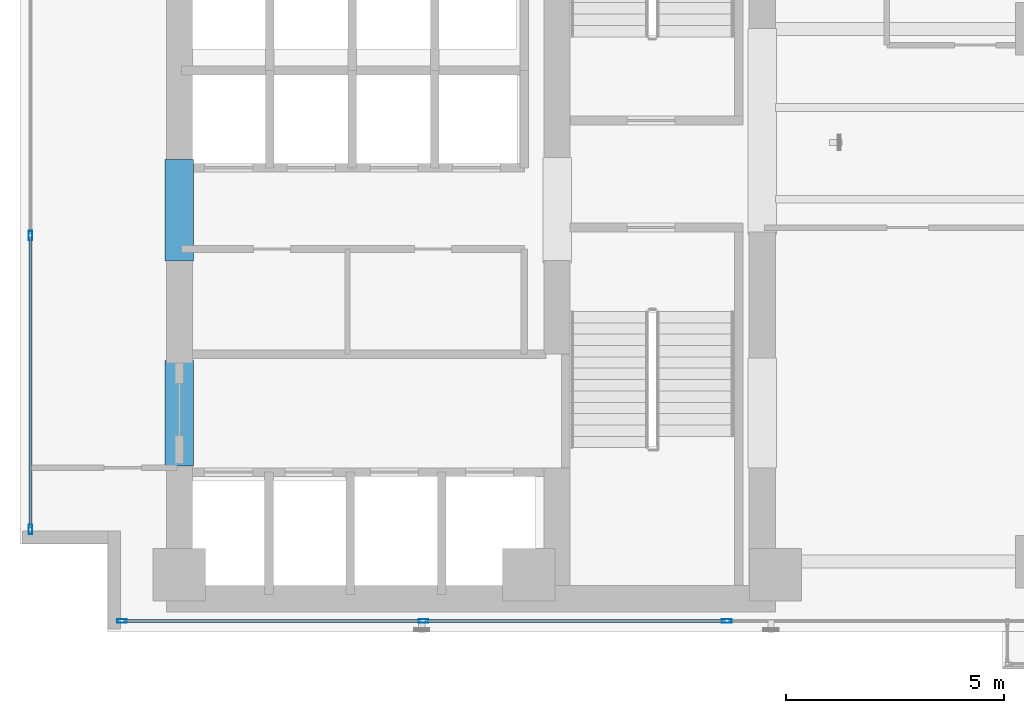
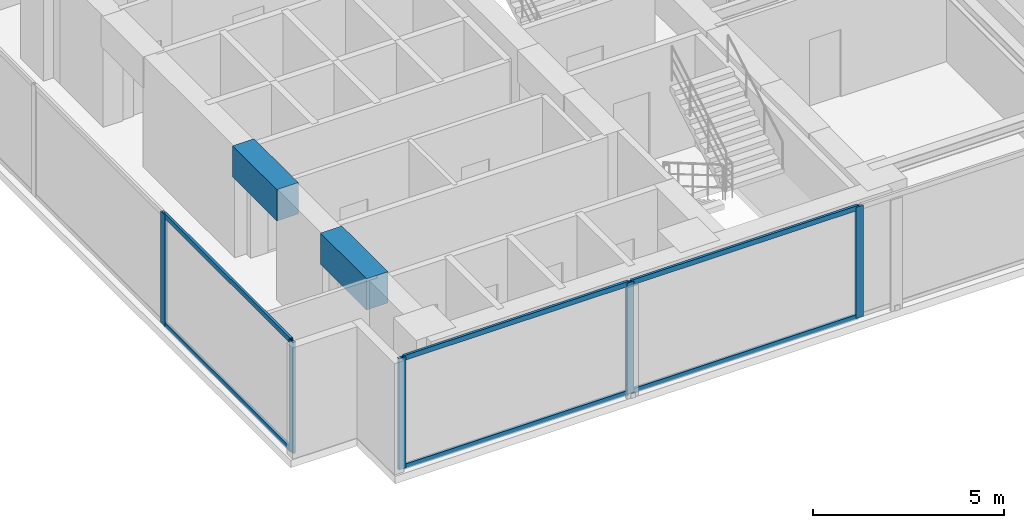
# One storey, part 2 of 24: 11 members, 2 beams, 2 elements without a shape of their own.
"""IFC4 building model written with IfcOpenShell, lengths in metres."""

from ifc_helpers import new_model, si_unit, direction, frame, origin, origin_with_axes, origin_2d, place, context, subcontext, project, spatial, rectangle, hollow_rectangle, extrude, source, transform, mapped, material, layer, layer_set, material_profile, profile_set, type_object, element, aggregate, save


model = new_model("IFC4")

# Units and contexts
model_context = context("Model", 3, precision=1e-05, world=origin(), true_north=direction((0.0, 1.0)))
body_context = subcontext(model_context, "Body", "Model", "MODEL_VIEW")
ifc_project = project(units=[si_unit("LENGTHUNIT", "METRE"), si_unit("AREAUNIT", "SQUARE_METRE"), si_unit("VOLUMEUNIT", "CUBIC_METRE"), si_unit("PLANEANGLEUNIT", "RADIAN"), si_unit("MASSUNIT", "GRAM", prefix="KILO")], contexts=[model_context])

# Site, building, storey
site_placement = place(None, origin())
site = spatial("IfcSite", under=ifc_project, at=site_placement, CompositionType="ELEMENT")
building_placement = place(site_placement, origin())
building = spatial("IfcBuilding", under=site, at=building_placement, Name="Kolvaren Waterfront Exchange", CompositionType="ELEMENT")
storey_placement = place(building_placement, frame((0.0, 0.0, 184.199951171875)))
storey = spatial("IfcBuildingStorey", under=building, at=storey_placement, Name="L47", CompositionType="ELEMENT", Elevation=184.199951171875)

# Beams
ifc_material_1 = material(Name="Concrete C60/75", Category="concrete")
ifc_material_profile_1 = material_profile(ifc_material_1, rectangle(XDim=0.64990234375, YDim=1.0, at=origin_2d()), Name="RC-CB-1000x650")
ifc_profile_set_1 = profile_set([ifc_material_profile_1], Name="Concrete C60/75")
beam_type = type_object("IfcBeamType", Name="STR-CB-1000", PredefinedType="SPANDREL", material=ifc_profile_set_1)
beam_1_placement = place(storey_placement, frame((7.449951171875, 7.389892578125, 3.06005859375), z_axis=(0.0, 1.0, 0.0), x_axis=(-1.0, 0.0, 0.0)))
element("IfcBeam", 1, at=beam_1_placement, inside=storey, type_object=beam_type, Name="L47 core coupling beam 3", PredefinedType="SPANDREL", context=body_context, shape_type="SweptSolid", body=[
    extrude(rectangle(XDim=0.64990234375, YDim=1.0, at=origin_2d()), origin(), (0.0, 0.0, 1.0), 2.420166015625),
])
beam_2_placement = place(storey_placement, frame((7.449951171875, 12.090087890625, 3.06005859375), z_axis=(0.0, 1.0, 0.0), x_axis=(-1.0, 0.0, 0.0)))
element("IfcBeam", 2, at=beam_2_placement, inside=storey, type_object=beam_type, Name="L47 core coupling beam 4", PredefinedType="SPANDREL", context=body_context, shape_type="SweptSolid", body=[
    extrude(rectangle(XDim=0.64990234375, YDim=1.0, at=origin_2d()), origin(), (0.0, 0.0, 1.0), 2.31982421875),
])

# Curtain wall, members
ifc_material_2 = material(Name="Anodised bronze aluminium 6063-T6", Category="aluminium")
ifc_layer_1 = layer(ifc_material_2, 0.219970703125, Name="Anodised bronze aluminium 6063-T6")
ifc_layer_set_1 = layer_set([ifc_layer_1], Name="Anodised bronze aluminium 6063-T6")
curtain_wall_type_1 = type_object("IfcCurtainWallType", Name="ARC-CW-SYS1", PredefinedType="USERDEFINED", material=ifc_layer_set_1)
curtain_wall_1_placement = place(storey_placement, origin())
curtain_wall_1 = element("IfcCurtainWall", 3, at=curtain_wall_1_placement, inside=storey, type_object=curtain_wall_type_1, Name="L47 stick curtain wall CW1 (CW-L47-S)", ObjectType="STICK CURTAIN WALL", PredefinedType="USERDEFINED")
ifc_material_3 = material(Name="Anodised aluminium 6063-T6", Category="aluminium")
ifc_material_profile_2 = material_profile(ifc_material_3, hollow_rectangle(XDim=0.080078125, YDim=0.219970703125, WallThickness=0.0048828125, at=origin_2d()), Name="ALU-MUL-220x80x5")
ifc_profile_set_2 = profile_set([ifc_material_profile_2], Name="Anodised aluminium 6063-T6")
member_type_1 = type_object("IfcMemberType", Name="ARC-CWM-220", PredefinedType="MULLION", material=ifc_profile_set_2)
shared_shape_1 = source(origin_with_axes(), body_context, "Body", "SweptSolid", [
    extrude(hollow_rectangle(XDim=0.080078125, YDim=0.219970703125, WallThickness=0.0048828125, at=origin_2d()), origin(), (0.0, 0.0, 1.0), 3.56005859375),
])
member_1_placement = place(storey_placement, frame((6.139892578125, 3.840087890625, 0.0), z_axis=(0.0, 0.0, 1.0), x_axis=(0.0, 1.0, 0.0)))
member_1 = element("IfcMember", 4, at=member_1_placement, type_object=member_type_1, Name="CW1 mullion 1", PredefinedType="MULLION", context=body_context, shape_type="MappedRepresentation", body=[
    mapped(shared_shape_1, transform((0.0, 0.0, 0.0), x_axis=(1.0, 0.0, 0.0), y_axis=(0.0, 1.0, 0.0), z_axis=(0.0, 0.0, 1.0), scale=1.0)),
])
member_2_placement = place(storey_placement, frame((13.04296875, 3.840087890625, 0.0), z_axis=(0.0, 0.0, 1.0), x_axis=(0.0, 1.0, 0.0)))
member_2 = element("IfcMember", 5, at=member_2_placement, type_object=member_type_1, Name="CW1 mullion 2", PredefinedType="MULLION", context=body_context, shape_type="MappedRepresentation", body=[
    mapped(shared_shape_1, transform((0.0, 0.0, 0.0), x_axis=(1.0, 0.0, 0.0), y_axis=(0.0, 1.0, 0.0), z_axis=(0.0, 0.0, 1.0), scale=1.0)),
])
member_3_placement = place(storey_placement, frame((19.985595703125, 3.840087890625, 0.0), z_axis=(0.0, 0.0, 1.0), x_axis=(0.0, 1.0, 0.0)))
member_3 = element("IfcMember", 6, at=member_3_placement, type_object=member_type_1, Name="CW1 mullion 3", PredefinedType="MULLION", context=body_context, shape_type="MappedRepresentation", body=[
    mapped(shared_shape_1, transform((0.0, 0.0, 0.0), x_axis=(1.0, 0.0, 0.0), y_axis=(0.0, 1.0, 0.0), z_axis=(0.0, 0.0, 1.0), scale=1.0)),
])

ifc_layer_2 = layer(ifc_material_3, 0.219970703125, Name="Anodised aluminium 6063-T6")
ifc_layer_set_2 = layer_set([ifc_layer_2], Name="Anodised aluminium 6063-T6")
curtain_wall_type_2 = type_object("IfcCurtainWallType", Name="ARC-CW-SYS2", PredefinedType="USERDEFINED", material=ifc_layer_set_2)
curtain_wall_2_placement = place(storey_placement, origin())
curtain_wall_2 = element("IfcCurtainWall", 7, at=curtain_wall_2_placement, inside=storey, type_object=curtain_wall_type_2, Name="L47 stick curtain wall CW2 (CW-L47-W)", ObjectType="STICK CURTAIN WALL", PredefinedType="USERDEFINED")
member_4_placement = place(storey_placement, frame((4.0400390625, 5.93994140625, 0.0), z_axis=(0.0, 0.0, 1.0), x_axis=(-1.0, 0.0, 0.0)))
member_4 = element("IfcMember", 8, at=member_4_placement, type_object=member_type_1, Name="CW2 mullion 1", PredefinedType="MULLION", context=body_context, shape_type="MappedRepresentation", body=[
    mapped(shared_shape_1, transform((0.0, 0.0, 0.0), x_axis=(1.0, 0.0, 0.0), y_axis=(0.0, 1.0, 0.0), z_axis=(0.0, 0.0, 1.0), scale=1.0)),
])
member_5_placement = place(storey_placement, frame((4.0400390625, 12.666748046875, 0.0), z_axis=(0.0, 0.0, 1.0), x_axis=(-1.0, 0.0, 0.0)))
member_5 = element("IfcMember", 9, at=member_5_placement, type_object=member_type_1, Name="CW2 mullion 2", PredefinedType="MULLION", context=body_context, shape_type="MappedRepresentation", body=[
    mapped(shared_shape_1, transform((0.0, 0.0, 0.0), x_axis=(1.0, 0.0, 0.0), y_axis=(0.0, 1.0, 0.0), z_axis=(0.0, 0.0, 1.0), scale=1.0)),
])

# Member
ifc_material_profile_3 = material_profile(ifc_material_3, hollow_rectangle(XDim=0.074951171875, YDim=0.159912109375, WallThickness=0.00439453125, at=origin_2d()), Name="ALU-TRN-160x75x4.5")
ifc_profile_set_3 = profile_set([ifc_material_profile_3], Name="Anodised aluminium 6063-T6")
member_type_2 = type_object("IfcMemberType", Name="ARC-CWT-160", PredefinedType="USERDEFINED", material=ifc_profile_set_3)
shared_shape_2 = source(origin_with_axes(), body_context, "Body", "SweptSolid", [
    extrude(hollow_rectangle(XDim=0.074951171875, YDim=0.159912109375, WallThickness=0.00439453125, at=origin_2d()), origin(), (0.0, 0.0, 1.0), 6.822998046875),
])
member_6_placement = place(storey_placement, frame((6.179931640625, 3.840087890625, 0.03759765625), z_axis=(1.0, 0.0, 0.0), x_axis=(0.0, 1.0, 0.0)))
member_6 = element("IfcMember", 10, at=member_6_placement, type_object=member_type_2, Name="CW1 transom 1.1", ObjectType="TRANSOM", PredefinedType="USERDEFINED", context=body_context, shape_type="MappedRepresentation", body=[
    mapped(shared_shape_2, transform((0.0, 0.0, 0.0), x_axis=(1.0, 0.0, 0.0), y_axis=(0.0, 1.0, 0.0), z_axis=(0.0, 0.0, 1.0), scale=1.0)),
])

member_7_placement = place(storey_placement, frame((6.179931640625, 3.840087890625, 3.5224609375), z_axis=(1.0, 0.0, 0.0), x_axis=(0.0, 1.0, 0.0)))
member_7 = element("IfcMember", 11, at=member_7_placement, type_object=member_type_2, Name="CW1 transom 1.2", ObjectType="TRANSOM", PredefinedType="USERDEFINED", context=body_context, shape_type="MappedRepresentation", body=[
    mapped(shared_shape_2, transform((0.0, 0.0, 0.0), x_axis=(1.0, 0.0, 0.0), y_axis=(0.0, 1.0, 0.0), z_axis=(0.0, 0.0, 1.0), scale=1.0)),
])

shared_shape_3 = source(origin_with_axes(), body_context, "Body", "SweptSolid", [
    extrude(hollow_rectangle(XDim=0.074951171875, YDim=0.159912109375, WallThickness=0.00439453125, at=origin_2d()), origin(), (0.0, 0.0, 1.0), 6.863037109375),
])
member_8_placement = place(storey_placement, frame((13.082763671875, 3.840087890625, 0.03759765625), z_axis=(1.0, 0.0, 0.0), x_axis=(0.0, 1.0, 0.0)))
member_8 = element("IfcMember", 12, at=member_8_placement, type_object=member_type_2, Name="CW1 transom 2.1", ObjectType="TRANSOM", PredefinedType="USERDEFINED", context=body_context, shape_type="MappedRepresentation", body=[
    mapped(shared_shape_3, transform((0.0, 0.0, 0.0), x_axis=(1.0, 0.0, 0.0), y_axis=(0.0, 1.0, 0.0), z_axis=(0.0, 0.0, 1.0), scale=1.0)),
])

member_9_placement = place(storey_placement, frame((13.082763671875, 3.840087890625, 3.5224609375), z_axis=(1.0, 0.0, 0.0), x_axis=(0.0, 1.0, 0.0)))
member_9 = element("IfcMember", 13, at=member_9_placement, type_object=member_type_2, Name="CW1 transom 2.2", ObjectType="TRANSOM", PredefinedType="USERDEFINED", context=body_context, shape_type="MappedRepresentation", body=[
    mapped(shared_shape_3, transform((0.0, 0.0, 0.0), x_axis=(1.0, 0.0, 0.0), y_axis=(0.0, 1.0, 0.0), z_axis=(0.0, 0.0, 1.0), scale=1.0)),
])

aggregate(curtain_wall_1, [member_1, member_2, member_3, member_6, member_7, member_8, member_9])

shared_shape_4 = source(origin_with_axes(), body_context, "Body", "SweptSolid", [
    extrude(hollow_rectangle(XDim=0.074951171875, YDim=0.159912109375, WallThickness=0.00439453125, at=origin_2d()), origin(), (0.0, 0.0, 1.0), 6.646728515625),
])
member_10_placement = place(storey_placement, frame((4.0400390625, 5.97998046875, 0.03759765625), z_axis=(0.0, 1.0, 0.0), x_axis=(-1.0, 0.0, 0.0)))
member_10 = element("IfcMember", 14, at=member_10_placement, type_object=member_type_2, Name="CW2 transom 1.1", ObjectType="TRANSOM", PredefinedType="USERDEFINED", context=body_context, shape_type="MappedRepresentation", body=[
    mapped(shared_shape_4, transform((0.0, 0.0, 0.0), x_axis=(1.0, 0.0, 0.0), y_axis=(0.0, 1.0, 0.0), z_axis=(0.0, 0.0, 1.0), scale=1.0)),
])

member_11_placement = place(storey_placement, frame((4.0400390625, 5.97998046875, 3.5224609375), z_axis=(0.0, 1.0, 0.0), x_axis=(-1.0, 0.0, 0.0)))
member_11 = element("IfcMember", 15, at=member_11_placement, type_object=member_type_2, Name="CW2 transom 1.2", ObjectType="TRANSOM", PredefinedType="USERDEFINED", context=body_context, shape_type="MappedRepresentation", body=[
    mapped(shared_shape_4, transform((0.0, 0.0, 0.0), x_axis=(1.0, 0.0, 0.0), y_axis=(0.0, 1.0, 0.0), z_axis=(0.0, 0.0, 1.0), scale=1.0)),
])

aggregate(curtain_wall_2, [member_4, member_5, member_10, member_11])

save(model, "model.ifc")
